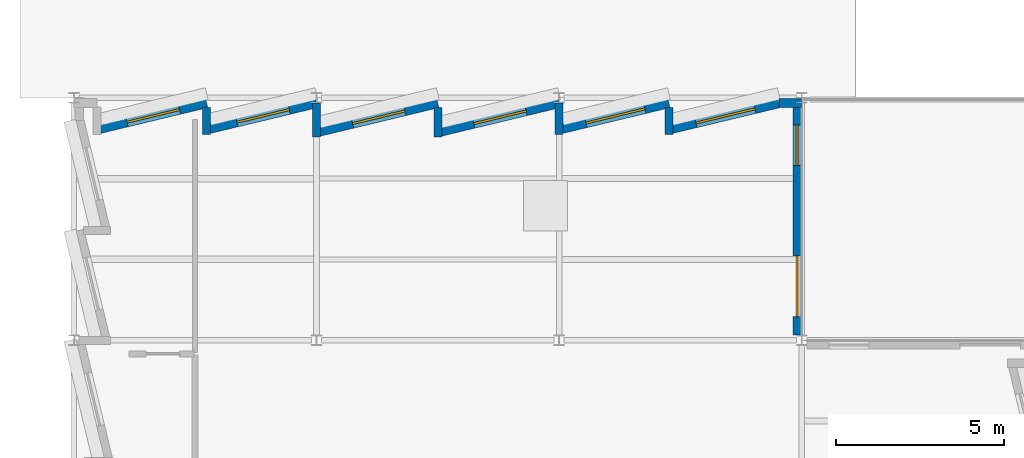
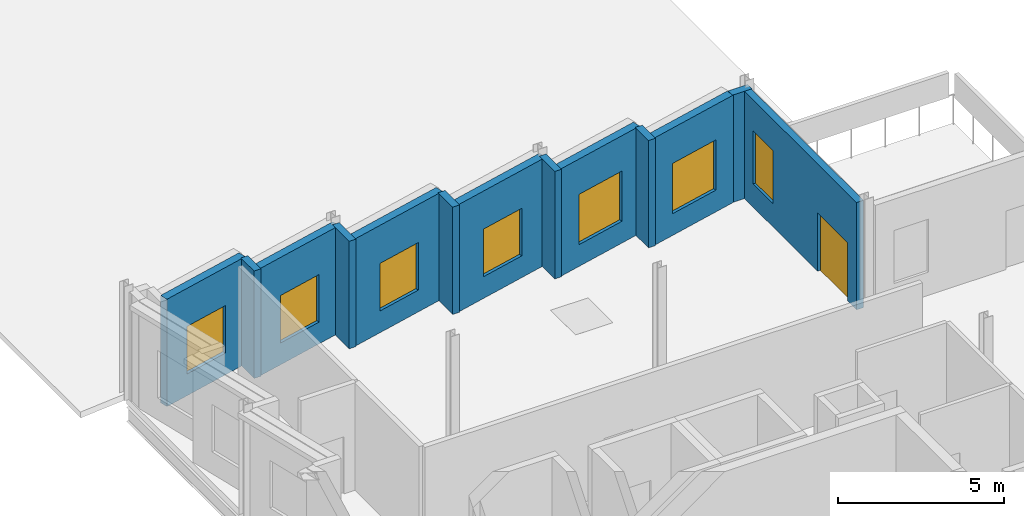
# One storey, part 8 of 9: 13 walls, 7 windows, 1 door, 8 openings.
"""IFC4 building model written with IfcOpenShell, lengths in metres."""

from ifc_helpers import new_model, si_unit, direction, frame, frame_2d, origin, place, context, subcontext, project, spatial, rectangle, extrude, material, layer, layer_set, type_object, element, fill, save


model = new_model("IFC4")

# Units and contexts
model_context = context("Model", 3, precision=1e-05, world=origin(), true_north=direction((0.0, 1.0)))
body_context = subcontext(model_context, "Body", "Model", "MODEL_VIEW")
ifc_project = project(units=[si_unit("LENGTHUNIT", "METRE"), si_unit("AREAUNIT", "SQUARE_METRE"), si_unit("VOLUMEUNIT", "CUBIC_METRE"), si_unit("PLANEANGLEUNIT", "RADIAN"), si_unit("MASSUNIT", "GRAM", prefix="KILO")], contexts=[model_context])

# Site, building, storey
site_placement = place(None, origin())
site = spatial("IfcSite", under=ifc_project, at=site_placement, CompositionType="ELEMENT")
building_placement = place(site_placement, origin())
building = spatial("IfcBuilding", under=site, at=building_placement, Name="Kalmorath City Hall", CompositionType="ELEMENT")
storey_placement = place(building_placement, frame((0.0, 0.0, 31.050048828125)))
storey = spatial("IfcBuildingStorey", under=building, at=storey_placement, Name="L07", CompositionType="ELEMENT", Elevation=31.050048828125)

# Walls
ifc_material_1 = material(Name="Precast concrete C40/50", Category="concrete")
ifc_layer_1 = layer(ifc_material_1, 0.239990234375)
ifc_layer_set_1 = layer_set([ifc_layer_1], Name="Precast concrete C40/50")
wall_type_1 = type_object("IfcWallType", Name="Precast sawtooth cheek wall 240", PredefinedType="SOLIDWALL", material=ifc_layer_set_1)
wall_1_placement = place(storey_placement, frame((17.659912109375, 34.912353515625, 0.0), z_axis=(0.0, 0.0, 1.0), x_axis=(0.0, 1.0, 0.0)))
element("IfcWall", 1, at=wall_1_placement, inside=storey, type_object=wall_type_1, Name="L07 sawtooth return cheek #1088", PredefinedType="SOLIDWALL", context=body_context, shape_type="SweptSolid", body=[
    extrude(rectangle(XDim=0.795654296875, YDim=0.239990234375, at=frame_2d((0.39794921875, 0.0))), origin(), (0.0, 0.0, 1.0), 3.949951171875),
])
wall_2_placement = place(storey_placement, frame((14.39990234375, 34.912353515625, 0.0), z_axis=(0.0, 0.0, 1.0), x_axis=(0.0, 1.0, 0.0)))
element("IfcWall", 2, at=wall_2_placement, inside=storey, type_object=wall_type_1, Name="L07 sawtooth return cheek #1090", PredefinedType="SOLIDWALL", context=body_context, shape_type="SweptSolid", body=[
    extrude(rectangle(XDim=0.931640625, YDim=0.239990234375, at=frame_2d((0.4658203125, 0.0))), origin(), (0.0, 0.0, 1.0), 3.949951171875),
])
wall_3_placement = place(storey_placement, frame((10.800048828125, 34.830810546875, 0.0), z_axis=(0.0, 0.0, 1.0), x_axis=(0.0, 1.0, 0.0)))
element("IfcWall", 3, at=wall_3_placement, inside=storey, type_object=wall_type_1, Name="L07 sawtooth return cheek #1092", PredefinedType="SOLIDWALL", context=body_context, shape_type="SweptSolid", body=[
    extrude(rectangle(XDim=0.877197265625, YDim=0.239990234375, at=frame_2d((0.4384765625, 0.0))), origin(), (0.0, 0.0, 1.0), 3.949951171875),
])
wall_4_placement = place(storey_placement, frame((7.199951171875, 34.830810546875, 0.0), z_axis=(0.0, 0.0, 1.0), x_axis=(0.0, 1.0, 0.0)))
element("IfcWall", 4, at=wall_4_placement, inside=storey, type_object=wall_type_1, Name="L07 sawtooth return cheek #1094", PredefinedType="SOLIDWALL", context=body_context, shape_type="SweptSolid", body=[
    extrude(rectangle(XDim=1.01318359375, YDim=0.239990234375, at=frame_2d((0.506591796875, 0.0))), origin(), (0.0, 0.0, 1.0), 3.949951171875),
])
wall_5_placement = place(storey_placement, frame((3.93994140625, 34.912353515625, 0.0), z_axis=(0.0, 0.0, 1.0), x_axis=(0.0, 1.0, 0.0)))
element("IfcWall", 5, at=wall_5_placement, inside=storey, type_object=wall_type_1, Name="L07 sawtooth return cheek #1097", PredefinedType="SOLIDWALL", context=body_context, shape_type="SweptSolid", body=[
    extrude(rectangle(XDim=0.795654296875, YDim=0.239990234375, at=frame_2d((0.39794921875, 0.0))), origin(), (0.0, 0.0, 1.0), 3.949951171875),
])

# Wall, opening, window
ifc_material_2 = material(Name="Precast concrete C40/50", Category="concrete")
ifc_layer_2 = layer(ifc_material_2, 0.280029296875)
ifc_layer_set_2 = layer_set([ifc_layer_2], Name="Precast concrete C40/50")
wall_type_2 = type_object("IfcWallType", Name="Precast sawtooth facade wall 280", PredefinedType="SOLIDWALL", material=ifc_layer_set_2)
wall_6_placement = place(storey_placement, frame((20.919921875, 35.840087890625, 0.0), z_axis=(0.0, 0.0, 1.0), x_axis=(-0.972366208453, -0.233460824675, 0.0)))
wall_6 = element("IfcWall", 6, at=wall_6_placement, inside=storey, type_object=wall_type_2, Name="L07 sawtooth precast frame #1087", PredefinedType="SOLIDWALL", context=body_context, shape_type="SweptSolid", body=[
    extrude(rectangle(XDim=3.257568359375, YDim=0.280029296875, at=frame_2d((1.62890625, 0.0))), origin(), (0.0, 0.0, 1.0), 3.949951171875),
])
opening_1_placement = place(wall_6_placement, frame((0.728759765625, 0.0, 0.800048828125)))
opening_1 = element("IfcOpeningElement", 7, at=opening_1_placement, cuts=wall_6, Name="Opening WN4", PredefinedType="OPENING", context=body_context, shape_type="SweptSolid", body=[
    extrude(rectangle(XDim=1.800048828125, YDim=1.85009765625, at=frame_2d((0.89990234375, 0.925048828125))), frame((0.0, 0.14990234375, 0.0), z_axis=(0.0, -1.0, 0.0), x_axis=(1.0, 0.0, 0.0)), (0.0, 0.0, 1.0), 0.300048828125),
])
ifc_material_3 = material(Name="Aluminium and laminated glass", Category="aluminium")
window_type_1 = type_object("IfcWindowType", Name="Sawtooth executive window 1800x1850", PartitioningType="SINGLE_PANEL", PredefinedType="WINDOW", material=ifc_material_3)
window_1_placement = place(opening_1_placement, origin())
window_1 = element("IfcWindow", 8, at=window_1_placement, inside=storey, type_object=window_type_1, Name="L07 window WN4-554", OverallHeight=1.85009765625, OverallWidth=1.800048828125, PartitioningType="SINGLE_PANEL", PredefinedType="WINDOW", context=body_context, shape_type="SweptSolid", body=[
    extrude(rectangle(XDim=1.800048828125, YDim=1.85009765625, at=frame_2d((0.89990234375, 0.925048828125))), frame((0.0, 0.030029296875, 0.0), z_axis=(0.0, -1.0, 0.0), x_axis=(1.0, 0.0, 0.0)), (0.0, 0.0, 1.0), 0.06005859375),
])
fill(opening_1, window_1)

wall_7_placement = place(storey_placement, frame((17.659912109375, 35.840087890625, 0.0), z_axis=(0.0, 0.0, 1.0), x_axis=(-0.972366208453, -0.233460824675, 0.0)))
wall_7 = element("IfcWall", 9, at=wall_7_placement, inside=storey, type_object=wall_type_2, Name="L07 sawtooth precast frame #1089", PredefinedType="SOLIDWALL", context=body_context, shape_type="SweptSolid", body=[
    extrude(rectangle(XDim=3.257568359375, YDim=0.280029296875, at=frame_2d((1.62890625, 0.0))), origin(), (0.0, 0.0, 1.0), 3.949951171875),
])
opening_2_placement = place(wall_7_placement, frame((0.728759765625, 0.0, 0.800048828125)))
opening_2 = element("IfcOpeningElement", 10, at=opening_2_placement, cuts=wall_7, Name="Opening WN4", PredefinedType="OPENING", context=body_context, shape_type="SweptSolid", body=[
    extrude(rectangle(XDim=1.800048828125, YDim=1.85009765625, at=frame_2d((0.89990234375, 0.925048828125))), frame((0.0, 0.14990234375, 0.0), z_axis=(0.0, -1.0, 0.0), x_axis=(1.0, 0.0, 0.0)), (0.0, 0.0, 1.0), 0.300048828125),
])
window_2_placement = place(opening_2_placement, origin())
window_2 = element("IfcWindow", 11, at=window_2_placement, inside=storey, type_object=window_type_1, Name="L07 window WN4-555", OverallHeight=1.85009765625, OverallWidth=1.800048828125, PartitioningType="SINGLE_PANEL", PredefinedType="WINDOW", context=body_context, shape_type="SweptSolid", body=[
    extrude(rectangle(XDim=1.800048828125, YDim=1.85009765625, at=frame_2d((0.89990234375, 0.925048828125))), frame((0.0, 0.030029296875, 0.0), z_axis=(0.0, -1.0, 0.0), x_axis=(1.0, 0.0, 0.0)), (0.0, 0.0, 1.0), 0.06005859375),
])
fill(opening_2, window_2)

wall_8_placement = place(storey_placement, frame((14.39990234375, 35.840087890625, 0.0), z_axis=(0.0, 0.0, 1.0), x_axis=(-0.972357805829, -0.233495818898, 0.0)))
wall_8 = element("IfcWall", 12, at=wall_8_placement, inside=storey, type_object=wall_type_2, Name="L07 sawtooth precast frame #1091", PredefinedType="SOLIDWALL", context=body_context, shape_type="SweptSolid", body=[
    extrude(rectangle(XDim=3.607177734375, YDim=0.280029296875, at=frame_2d((1.8037109375, 0.0))), origin(), (0.0, 0.0, 1.0), 3.949951171875),
])
opening_3_placement = place(wall_8_placement, frame((1.003662109375, 0.0, 0.800048828125)))
opening_3 = element("IfcOpeningElement", 13, at=opening_3_placement, cuts=wall_8, Name="Opening WN3", PredefinedType="OPENING", context=body_context, shape_type="SweptSolid", body=[
    extrude(rectangle(XDim=1.60009765625, YDim=1.75, at=frame_2d((0.800048828125, 0.875))), frame((0.0, 0.14990234375, 0.0), z_axis=(0.0, -1.0, 0.0), x_axis=(1.0, 0.0, 0.0)), (0.0, 0.0, 1.0), 0.300048828125),
])
ifc_material_4 = material(Name="Aluminium and laminated glass", Category="aluminium")
window_type_2 = type_object("IfcWindowType", Name="Sawtooth upper window 1600x1750", PartitioningType="SINGLE_PANEL", PredefinedType="WINDOW", material=ifc_material_4)
window_3_placement = place(opening_3_placement, origin())
window_3 = element("IfcWindow", 14, at=window_3_placement, inside=storey, type_object=window_type_2, Name="L07 window WN3-556", OverallHeight=1.75, OverallWidth=1.60009765625, PartitioningType="SINGLE_PANEL", PredefinedType="WINDOW", context=body_context, shape_type="SweptSolid", body=[
    extrude(rectangle(XDim=1.60009765625, YDim=1.75, at=frame_2d((0.800048828125, 0.875))), frame((0.0, 0.030029296875, 0.0), z_axis=(0.0, -1.0, 0.0), x_axis=(1.0, 0.0, 0.0)), (0.0, 0.0, 1.0), 0.06005859375),
])
fill(opening_3, window_3)

wall_9_placement = place(storey_placement, frame((10.800048828125, 35.840087890625, 0.0), z_axis=(0.0, 0.0, 1.0), x_axis=(-0.972357805829, -0.233495818898, 0.0)))
wall_9 = element("IfcWall", 15, at=wall_9_placement, inside=storey, type_object=wall_type_2, Name="L07 sawtooth precast frame #1093", PredefinedType="SOLIDWALL", context=body_context, shape_type="SweptSolid", body=[
    extrude(rectangle(XDim=3.607177734375, YDim=0.280029296875, at=frame_2d((1.8037109375, 0.0))), origin(), (0.0, 0.0, 1.0), 3.949951171875),
])
opening_4_placement = place(wall_9_placement, frame((1.003662109375, 0.0, 0.800048828125)))
opening_4 = element("IfcOpeningElement", 16, at=opening_4_placement, cuts=wall_9, Name="Opening WN3", PredefinedType="OPENING", context=body_context, shape_type="SweptSolid", body=[
    extrude(rectangle(XDim=1.60009765625, YDim=1.75, at=frame_2d((0.800048828125, 0.875))), frame((0.0, 0.14990234375, 0.0), z_axis=(0.0, -1.0, 0.0), x_axis=(1.0, 0.0, 0.0)), (0.0, 0.0, 1.0), 0.300048828125),
])
window_4_placement = place(opening_4_placement, origin())
window_4 = element("IfcWindow", 17, at=window_4_placement, inside=storey, type_object=window_type_2, Name="L07 window WN3-557", OverallHeight=1.75, OverallWidth=1.60009765625, PartitioningType="SINGLE_PANEL", PredefinedType="WINDOW", context=body_context, shape_type="SweptSolid", body=[
    extrude(rectangle(XDim=1.60009765625, YDim=1.75, at=frame_2d((0.800048828125, 0.875))), frame((0.0, 0.030029296875, 0.0), z_axis=(0.0, -1.0, 0.0), x_axis=(1.0, 0.0, 0.0)), (0.0, 0.0, 1.0), 0.06005859375),
])
fill(opening_4, window_4)

wall_10_placement = place(storey_placement, frame((7.199951171875, 35.840087890625, 0.0), z_axis=(0.0, 0.0, 1.0), x_axis=(-0.972366208453, -0.233460824675, 0.0)))
wall_10 = element("IfcWall", 18, at=wall_10_placement, inside=storey, type_object=wall_type_2, Name="L07 sawtooth precast frame #1096", PredefinedType="SOLIDWALL", context=body_context, shape_type="SweptSolid", body=[
    extrude(rectangle(XDim=3.257568359375, YDim=0.280029296875, at=frame_2d((1.62890625, 0.0))), origin(), (0.0, 0.0, 1.0), 3.949951171875),
])
opening_5_placement = place(wall_10_placement, frame((0.828857421875, 0.0, 0.800048828125)))
opening_5 = element("IfcOpeningElement", 19, at=opening_5_placement, cuts=wall_10, Name="Opening WN3", PredefinedType="OPENING", context=body_context, shape_type="SweptSolid", body=[
    extrude(rectangle(XDim=1.60009765625, YDim=1.75, at=frame_2d((0.800048828125, 0.875))), frame((0.0, 0.14990234375, 0.0), z_axis=(0.0, -1.0, 0.0), x_axis=(1.0, 0.0, 0.0)), (0.0, 0.0, 1.0), 0.300048828125),
])
window_5_placement = place(opening_5_placement, origin())
window_5 = element("IfcWindow", 20, at=window_5_placement, inside=storey, type_object=window_type_2, Name="L07 window WN3-558", OverallHeight=1.75, OverallWidth=1.60009765625, PartitioningType="SINGLE_PANEL", PredefinedType="WINDOW", context=body_context, shape_type="SweptSolid", body=[
    extrude(rectangle(XDim=1.60009765625, YDim=1.75, at=frame_2d((0.800048828125, 0.875))), frame((0.0, 0.030029296875, 0.0), z_axis=(0.0, -1.0, 0.0), x_axis=(1.0, 0.0, 0.0)), (0.0, 0.0, 1.0), 0.06005859375),
])
fill(opening_5, window_5)

wall_11_placement = place(storey_placement, frame((3.93994140625, 35.840087890625, 0.0), z_axis=(0.0, 0.0, 1.0), x_axis=(-0.972366208453, -0.233460824675, 0.0)))
wall_11 = element("IfcWall", 21, at=wall_11_placement, inside=storey, type_object=wall_type_2, Name="L07 sawtooth precast frame #1098", PredefinedType="SOLIDWALL", context=body_context, shape_type="SweptSolid", body=[
    extrude(rectangle(XDim=3.257568359375, YDim=0.280029296875, at=frame_2d((1.62890625, 0.0))), origin(), (0.0, 0.0, 1.0), 3.949951171875),
])
opening_6_placement = place(wall_11_placement, frame((0.828857421875, 0.0, 0.800048828125)))
opening_6 = element("IfcOpeningElement", 22, at=opening_6_placement, cuts=wall_11, Name="Opening WN3", PredefinedType="OPENING", context=body_context, shape_type="SweptSolid", body=[
    extrude(rectangle(XDim=1.60009765625, YDim=1.75, at=frame_2d((0.800048828125, 0.875))), frame((0.0, 0.14990234375, 0.0), z_axis=(0.0, -1.0, 0.0), x_axis=(1.0, 0.0, 0.0)), (0.0, 0.0, 1.0), 0.300048828125),
])
window_6_placement = place(opening_6_placement, origin())
window_6 = element("IfcWindow", 23, at=window_6_placement, inside=storey, type_object=window_type_2, Name="L07 window WN3-559", OverallHeight=1.75, OverallWidth=1.60009765625, PartitioningType="SINGLE_PANEL", PredefinedType="WINDOW", context=body_context, shape_type="SweptSolid", body=[
    extrude(rectangle(XDim=1.60009765625, YDim=1.75, at=frame_2d((0.800048828125, 0.875))), frame((0.0, 0.030029296875, 0.0), z_axis=(0.0, -1.0, 0.0), x_axis=(1.0, 0.0, 0.0)), (0.0, 0.0, 1.0), 0.06005859375),
])
fill(opening_6, window_6)

# Wall
ifc_material_5 = material(Name="Precast concrete C40/50", Category="concrete")
ifc_layer_3 = layer(ifc_material_5, 0.260009765625)
ifc_layer_set_3 = layer_set([ifc_layer_3], Name="Precast concrete C40/50")
wall_type_3 = type_object("IfcWallType", Name="Precast sawtooth return wall 260", PredefinedType="SOLIDWALL", material=ifc_layer_set_3)
wall_12_placement = place(storey_placement, frame((21.60009765625, 35.840087890625, 0.0), z_axis=(0.0, 0.0, 1.0), x_axis=(-1.0, 0.0, 0.0)))
element("IfcWall", 24, at=wall_12_placement, inside=storey, type_object=wall_type_3, Name="L07 corner pier wall #1086", PredefinedType="SOLIDWALL", context=body_context, shape_type="SweptSolid", body=[
    extrude(rectangle(XDim=0.68017578125, YDim=0.260009765625, at=frame_2d((0.340087890625, 0.0))), origin(), (0.0, 0.0, 1.0), 3.949951171875),
])

# Wall, openings, window, door
ifc_material_6 = material(Name="Precast concrete C40/50", Category="concrete")
ifc_layer_4 = layer(ifc_material_6, 0.239990234375)
ifc_layer_set_4 = layer_set([ifc_layer_4], Name="Precast concrete C40/50")
wall_type_4 = type_object("IfcWallType", Name="Recessed loggia insulated wall 240", PredefinedType="SOLIDWALL", material=ifc_layer_set_4)
wall_13_placement = place(storey_placement, frame((21.4599609375, 28.955078125, 0.0), z_axis=(0.0, 0.0, 1.0), x_axis=(0.0, 1.0, 0.0)))
wall_13 = element("IfcWall", 25, at=wall_13_placement, inside=storey, type_object=wall_type_4, Name="L07 loggia wall #1085", PredefinedType="SOLIDWALL", context=body_context, shape_type="SweptSolid", body=[
    extrude(rectangle(XDim=6.889892578125, YDim=0.239990234375, at=frame_2d((3.44482421875, 0.0))), origin(), (0.0, 0.0, 1.0), 3.949951171875),
])
opening_7_placement = place(wall_13_placement, frame((0.550048828125, 0.0, 0.0)))
opening_7 = element("IfcOpeningElement", 26, at=opening_7_placement, cuts=wall_13, Name="Opening D-E043", PredefinedType="OPENING", context=body_context, shape_type="SweptSolid", body=[
    extrude(rectangle(XDim=1.800048828125, YDim=2.14990234375, at=frame_2d((0.89990234375, 1.074951171875))), frame((0.0, 0.1298828125, 0.0), z_axis=(0.0, -1.0, 0.0), x_axis=(1.0, 0.0, 0.0)), (0.0, 0.0, 1.0), 0.260009765625),
])
opening_8_placement = place(wall_13_placement, frame((5.0400390625, 0.0, 0.85009765625)))
opening_8 = element("IfcOpeningElement", 27, at=opening_8_placement, cuts=wall_13, Name="Opening WN16", PredefinedType="OPENING", context=body_context, shape_type="SweptSolid", body=[
    extrude(rectangle(XDim=1.199951171875, YDim=1.949951171875, at=frame_2d((0.60009765625, 0.97509765625))), frame((0.0, 0.1298828125, 0.0), z_axis=(0.0, -1.0, 0.0), x_axis=(1.0, 0.0, 0.0)), (0.0, 0.0, 1.0), 0.260009765625),
])
ifc_material_7 = material(Name="Hardwood-trimmed laminated glass", Category="wood")
window_type_3 = type_object("IfcWindowType", Name="Loggia sidelight window 1200x1950", PartitioningType="SINGLE_PANEL", PredefinedType="WINDOW", material=ifc_material_7)
window_7_placement = place(opening_8_placement, origin())
window_7 = element("IfcWindow", 28, at=window_7_placement, inside=storey, type_object=window_type_3, Name="L07 window WN16-553", OverallHeight=1.949951171875, OverallWidth=1.199951171875, PartitioningType="SINGLE_PANEL", PredefinedType="WINDOW", context=body_context, shape_type="SweptSolid", body=[
    extrude(rectangle(XDim=1.199951171875, YDim=1.949951171875, at=frame_2d((0.60009765625, 0.97509765625))), frame((0.0, 0.030029296875, 0.0), z_axis=(0.0, -1.0, 0.0), x_axis=(1.0, 0.0, 0.0)), (0.0, 0.0, 1.0), 0.06005859375),
])
fill(opening_8, window_7)
ifc_material_8 = material(Name="Bronze-anodised aluminium and glass", Category="aluminium")
door_type = type_object("IfcDoorType", Name="Roof garden double terrace door 1800x2150", OperationType="DOUBLE_DOOR_SINGLE_SWING", PredefinedType="DOOR", material=ifc_material_8)
door_placement = place(opening_7_placement, frame((1.800048828125, 0.0, 0.0), z_axis=(0.0, 0.0, 1.0), x_axis=(-1.0, 0.0, 0.0)))
door = element("IfcDoor", 29, at=door_placement, inside=storey, type_object=door_type, Name="L07 exterior door D-E043", OperationType="DOUBLE_DOOR_SINGLE_SWING", OverallHeight=2.14990234375, OverallWidth=1.800048828125, PredefinedType="DOOR", context=body_context, shape_type="SweptSolid", body=[
    extrude(rectangle(XDim=1.800048828125, YDim=2.14990234375, at=frame_2d((0.89990234375, 1.074951171875))), frame((0.0, 0.02490234375, 0.0), z_axis=(0.0, -1.0, 0.0), x_axis=(1.0, 0.0, 0.0)), (0.0, 0.0, 1.0), 0.050048828125),
])
fill(opening_7, door)

save(model, "model.ifc")
